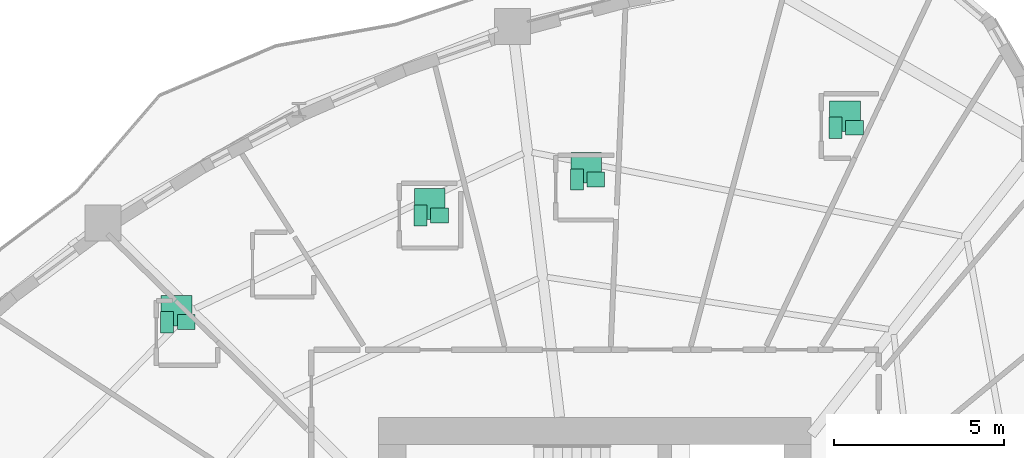
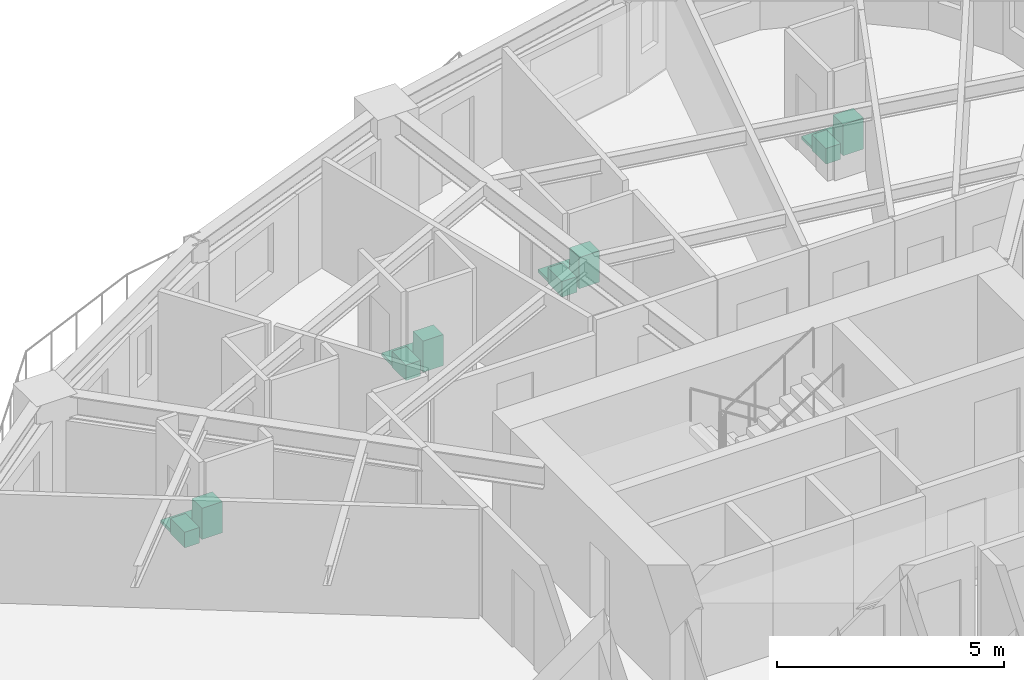
# One storey, part 14 of 14: 12 sanitary terminals.
"""IFC4 building model written with IfcOpenShell, lengths in metres."""

from ifc_helpers import new_model, si_unit, direction, frame, origin, origin_2d, place, context, subcontext, project, spatial, rectangle, extrude, source, transform, mapped, material, type_object, element, save


model = new_model("IFC4")

# Units and contexts
model_context = context("Model", 3, precision=1e-05, world=origin(), true_north=direction((0.0, 1.0)))
body_context = subcontext(model_context, "Body", "Model", "MODEL_VIEW")
ifc_project = project(units=[si_unit("LENGTHUNIT", "METRE"), si_unit("AREAUNIT", "SQUARE_METRE"), si_unit("VOLUMEUNIT", "CUBIC_METRE"), si_unit("PLANEANGLEUNIT", "RADIAN"), si_unit("MASSUNIT", "GRAM", prefix="KILO")], contexts=[model_context])

# Site, building, storey
site_placement = place(None, origin())
site = spatial("IfcSite", under=ifc_project, at=site_placement, CompositionType="ELEMENT")
building_placement = place(site_placement, origin())
building = spatial("IfcBuilding", under=site, at=building_placement, Name="Qafzar Sky-Pleat Residences", CompositionType="ELEMENT")
storey_placement = place(building_placement, frame((0.0, 0.0, 14.199951171875)))
storey = spatial("IfcBuildingStorey", under=building, at=storey_placement, Name="L03", CompositionType="ELEMENT", Elevation=14.199951171875)

# Sanitary terminals
ifc_material_1 = material(Name="Vitreous china sanitaryware")
sanitary_terminal_type_1 = type_object("IfcSanitaryTerminalType", Name="SAN-WC-PAN", PredefinedType="TOILETPAN", material=ifc_material_1)
shared_shape_1 = source(origin(), body_context, "Body", "SweptSolid", [
    extrude(rectangle(XDim=0.3798828125, YDim=0.6201171875, at=origin_2d()), origin(), (0.0, 0.0, 1.0), 0.419921875),
])
for number, where, z_axis, x_axis, name in (
    (1, (37.415283203125, 43.100830078125, 0.0), (0.0, 0.0, 1.0), (1.0, 0.0, 0.0), "L03 En-suite Bathroom 7 WC Pan"),
    (2, (29.819091796875, 41.581787109375, 0.0), (0.0, 0.0, 1.0), (1.0, 0.0, 0.0), "L03 En-suite Bathroom 8 WC Pan"),
    (3, (25.22607421875, 40.52001953125, 0.0), (0.0, 0.0, 1.0), (1.0, 0.0, 0.0), "L03 En-suite Bathroom 9 WC Pan"),
    (4, (17.787109375, 37.391357421875, 0.0), (0.0, 0.0, 1.0), (1.0, 0.0, 0.0), "L03 En-suite Bathroom 10 WC Pan"),
):
    element("IfcSanitaryTerminal", number, at=place(storey_placement, frame(where, z_axis=z_axis, x_axis=x_axis)), inside=storey, type_object=sanitary_terminal_type_1, Name=name, PredefinedType="TOILETPAN", context=body_context, shape_type="MappedRepresentation", body=[
        mapped(shared_shape_1, transform((0.0, 0.0, 0.0), x_axis=(1.0, 0.0, 0.0), y_axis=(0.0, 1.0, 0.0), z_axis=(0.0, 0.0, 1.0), scale=1.0)),
    ])
sanitary_terminal_type_2 = type_object("IfcSanitaryTerminalType", Name="SAN-BASIN", PredefinedType="WASHHANDBASIN", material=ifc_material_1)
shared_shape_2 = source(origin(), body_context, "Body", "SweptSolid", [
    extrude(rectangle(XDim=0.52001953125, YDim=0.43994140625, at=origin_2d()), origin(), (0.0, 0.0, 1.0), 0.840087890625),
])
for number, where, z_axis, x_axis, name in (
    (5, (37.975341796875, 43.100830078125, 0.0), (0.0, 0.0, 1.0), (1.0, 0.0, 0.0), "L03 En-suite Bathroom 7 Pedestal Washbasin"),
    (6, (30.37890625, 41.581787109375, 0.0), (0.0, 0.0, 1.0), (1.0, 0.0, 0.0), "L03 En-suite Bathroom 8 Pedestal Washbasin"),
    (7, (25.785888671875, 40.52001953125, 0.0), (0.0, 0.0, 1.0), (1.0, 0.0, 0.0), "L03 En-suite Bathroom 9 Pedestal Washbasin"),
    (8, (18.346923828125, 37.391357421875, 0.0), (0.0, 0.0, 1.0), (1.0, 0.0, 0.0), "L03 En-suite Bathroom 10 Pedestal Washbasin"),
):
    element("IfcSanitaryTerminal", number, at=place(storey_placement, frame(where, z_axis=z_axis, x_axis=x_axis)), inside=storey, type_object=sanitary_terminal_type_2, Name=name, PredefinedType="WASHHANDBASIN", context=body_context, shape_type="MappedRepresentation", body=[
        mapped(shared_shape_2, transform((0.0, 0.0, 0.0), x_axis=(1.0, 0.0, 0.0), y_axis=(0.0, 1.0, 0.0), z_axis=(0.0, 0.0, 1.0), scale=1.0)),
    ])
ifc_material_2 = material(Name="Vitreous china and acrylic tray")
sanitary_terminal_type_3 = type_object("IfcSanitaryTerminalType", Name="SAN-SHOWER", PredefinedType="SHOWER", material=ifc_material_2)
shared_shape_3 = source(origin(), body_context, "Body", "SweptSolid", [
    extrude(rectangle(XDim=0.89990234375, YDim=0.89990234375, at=origin_2d()), origin(), (0.0, 0.0, 1.0), 0.080078125),
])
for number, where, z_axis, x_axis, name in (
    (9, (37.6953125, 43.44091796875, 0.0), (0.0, 0.0, 1.0), (1.0, 0.0, 0.0), "L03 En-suite Bathroom 7 Walk-In Shower"),
    (10, (30.09912109375, 41.921630859375, 0.0), (0.0, 0.0, 1.0), (1.0, 0.0, 0.0), "L03 En-suite Bathroom 8 Walk-In Shower"),
    (11, (25.506103515625, 40.860107421875, 0.0), (0.0, 0.0, 1.0), (1.0, 0.0, 0.0), "L03 En-suite Bathroom 9 Walk-In Shower"),
    (12, (18.06689453125, 37.7314453125, 0.0), (0.0, 0.0, 1.0), (1.0, 0.0, 0.0), "L03 En-suite Bathroom 10 Walk-In Shower"),
):
    element("IfcSanitaryTerminal", number, at=place(storey_placement, frame(where, z_axis=z_axis, x_axis=x_axis)), inside=storey, type_object=sanitary_terminal_type_3, Name=name, PredefinedType="SHOWER", context=body_context, shape_type="MappedRepresentation", body=[
        mapped(shared_shape_3, transform((0.0, 0.0, 0.0), x_axis=(1.0, 0.0, 0.0), y_axis=(0.0, 1.0, 0.0), z_axis=(0.0, 0.0, 1.0), scale=1.0)),
    ])

save(model, "model.ifc")
